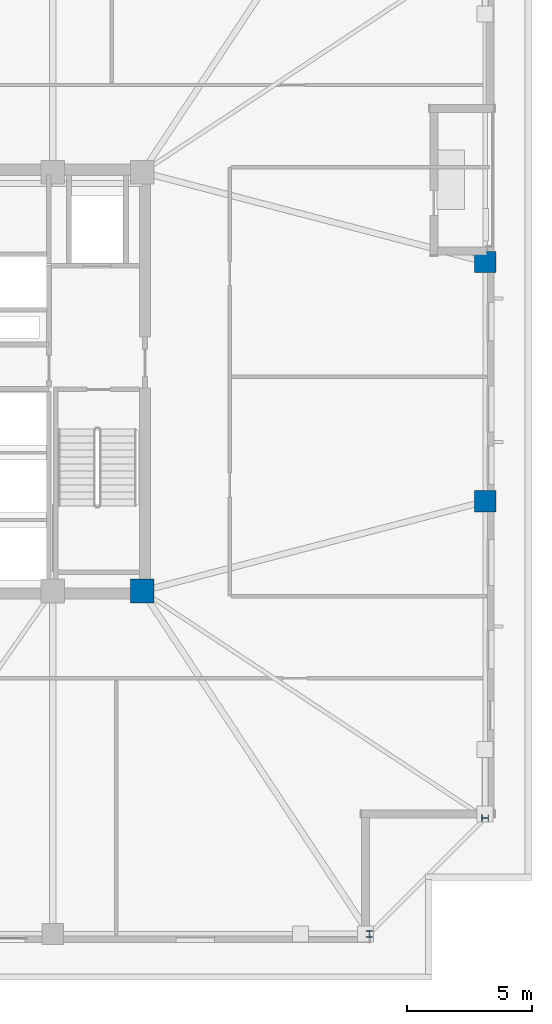
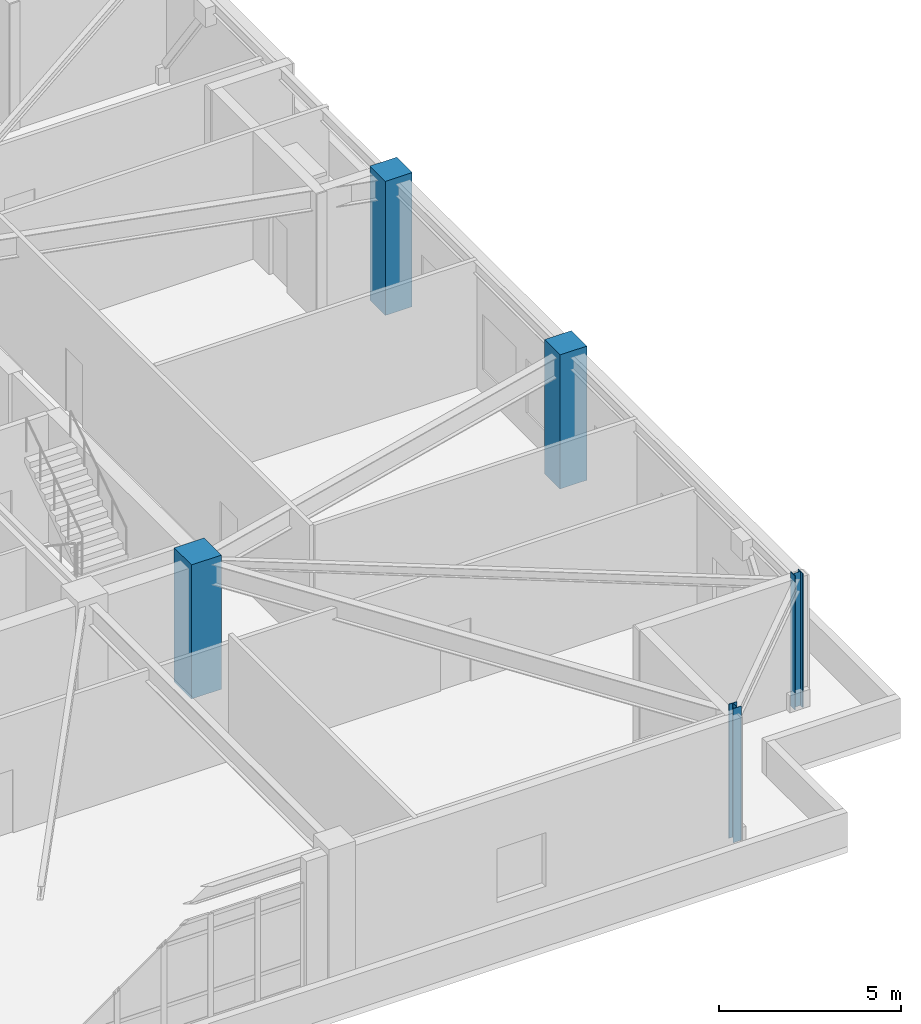
# One storey, part 3 of 18: 5 columns.
"""IFC4 building model written with IfcOpenShell, lengths in metres."""

import ifcopenshell
import ifcopenshell.guid

model = None  # the IFC model being written
_history = None  # IfcOwnerHistory: only IFC2X3 demands one
_inside = {}  # id of a spatial element -> (the spatial element, [elements in it])
_under = {}  # id of a project, library or spatial element -> (it, [spatial elements below it])
_declared = {}  # id of a project -> (the project, [libraries it declares])
_typed = {}  # id of a type object -> (the type object, [elements of that type])
_made_of = {}  # id of a material, layer set ... -> (it, [elements and type objects made of it])


def new_model(schema):
    """Start an empty IFC model of exactly this schema.

    Asked for "IFC4X3", IfcOpenShell would pick the latest addendum, in which some entities
    have other attributes; the version numbers below select the first issue.
    IFC2X3 requires an IfcOwnerHistory on every rooted entity: one is made here for all.
    """
    global model, _history
    if schema == "IFC4X3":
        model = ifcopenshell.file(schema_version=(4, 3, 0, 0))
    else:
        model = ifcopenshell.file(schema=schema)
    _inside.clear()
    _under.clear()
    _declared.clear()
    _typed.clear()
    _made_of.clear()
    _history = None
    if model.schema == "IFC2X3":
        org = make("IfcOrganization", Name="unknown")
        user = make(
            "IfcPersonAndOrganization",
            ThePerson=make("IfcPerson", FamilyName="unknown"),
            TheOrganization=org,
        )
        app = make(
            "IfcApplication",
            ApplicationDeveloper=org,
            Version="unknown",
            ApplicationFullName="unknown",
            ApplicationIdentifier="unknown",
        )
        _history = make(
            "IfcOwnerHistory",
            OwningUser=user,
            OwningApplication=app,
            ChangeAction="ADDED",
            CreationDate=0,
        )
    return model


def make(cls, **values):
    """One entity of the class cls with the attributes given. An attribute that is None is left unset."""
    return model.create_entity(
        cls, **{name: value for name, value in values.items() if value is not None}
    )


def rooted(cls, **values):
    """An entity with a GlobalId (a new one), such as an element, a storey or a relation."""
    return make(cls, GlobalId=ifcopenshell.guid.new(), OwnerHistory=_history, **values)


def si_unit(unit_type, name, prefix=None):
    """IfcSIUnit, for example si_unit("LENGTHUNIT", "METRE", prefix="MILLI")."""
    return make("IfcSIUnit", UnitType=unit_type, Prefix=prefix, Name=name)


def assignment(units):
    """IfcUnitAssignment: the units of a project."""
    return None if units is None else make("IfcUnitAssignment", Units=units)


def point(xyz):
    """IfcCartesianPoint."""
    return None if xyz is None else make("IfcCartesianPoint", Coordinates=xyz)


def direction(xyz):
    """IfcDirection."""
    return None if xyz is None else make("IfcDirection", DirectionRatios=xyz)


def frame(location, z_axis=None, x_axis=None):
    """IfcAxis2Placement3D, a coordinate frame: its origin and axes. An axis left out is left unset."""
    return make(
        "IfcAxis2Placement3D",
        Location=point(location),
        Axis=direction(z_axis),
        RefDirection=direction(x_axis),
    )


def frame_2d(location, x_axis=None):
    """IfcAxis2Placement2D, a coordinate frame in the plane: its origin and x axis."""
    return make(
        "IfcAxis2Placement2D", Location=point(location), RefDirection=direction(x_axis)
    )


def origin():
    """The frame at (0, 0, 0) with its axes left unset."""
    return frame((0.0, 0.0, 0.0))


def origin_2d():
    """The frame at (0, 0) in the plane with its x axis left unset."""
    return frame_2d((0.0, 0.0))


def place(relative_to, where):
    """IfcLocalPlacement: puts the frame where relative to a parent placement (None: the world)."""
    return make(
        "IfcLocalPlacement", PlacementRelTo=relative_to, RelativePlacement=where
    )


def context(
    kind, dimensions, precision=None, world=None, true_north=None, identifier=None
):
    """IfcGeometricRepresentationContext, for example the 3D "Model" context."""
    return make(
        "IfcGeometricRepresentationContext",
        ContextIdentifier=identifier,
        ContextType=kind,
        CoordinateSpaceDimension=dimensions,
        Precision=precision,
        WorldCoordinateSystem=world,
        TrueNorth=true_north,
    )


def subcontext(parent, identifier, kind, view, scale=None):
    """IfcGeometricRepresentationSubContext, for example "Body" below "Model"."""
    return make(
        "IfcGeometricRepresentationSubContext",
        ContextIdentifier=identifier,
        ContextType=kind,
        ParentContext=parent,
        TargetScale=scale,
        TargetView=view,
    )


def project(units=None, contexts=None):
    """IfcProject with its units and contexts."""
    return rooted(
        "IfcProject",
        Name="project",
        RepresentationContexts=contexts,
        UnitsInContext=assignment(units),
    )


def spatial(cls, under=None, at=None, **own):
    """A site, building, storey or space (cls), placed at a placement, below another one or the project."""
    s = rooted(cls, ObjectPlacement=at, **own)
    if under is not None:
        _under.setdefault(under.id(), (under, []))[1].append(s)
    return s


def profile(cls, at=None, kind="AREA", **sizes):
    """A parametric profile (cls). Its sizes go by their IFC names, for example OverallWidth=200.0."""
    return make(cls, ProfileType=kind, Position=at, **sizes)


def rectangle(**sizes):
    """IfcRectangleProfileDef."""
    return profile("IfcRectangleProfileDef", **sizes)


def i_section(**sizes):
    """IfcIShapeProfileDef."""
    return profile("IfcIShapeProfileDef", **sizes)


def extrude(swept, where, along, depth):
    """IfcExtrudedAreaSolid: the profile swept, set in the frame where, extruded along a direction by depth."""
    return make(
        "IfcExtrudedAreaSolid",
        SweptArea=swept,
        Position=where,
        ExtrudedDirection=direction(along),
        Depth=depth,
    )


def shape(context_of_items, identifier, shape_type, items):
    """IfcShapeRepresentation: the items that make up one representation, for example the "Body"."""
    return make(
        "IfcShapeRepresentation",
        ContextOfItems=context_of_items,
        RepresentationIdentifier=identifier,
        RepresentationType=shape_type,
        Items=items,
    )


def material(Name=None, Category=None):
    """IfcMaterial."""
    return make("IfcMaterial", Name=Name, Category=Category)


def material_profile(
    of_material, cross_section, Name=None, Category=None, Priority=None
):
    """IfcMaterialProfile: a cross section and its material."""
    return make(
        "IfcMaterialProfile",
        Name=Name,
        Material=of_material,
        Profile=cross_section,
        Priority=Priority,
        Category=Category,
    )


def profile_set(profiles, Name=None, composite=None):
    """IfcMaterialProfileSet."""
    return make(
        "IfcMaterialProfileSet",
        Name=Name,
        MaterialProfiles=profiles,
        CompositeProfile=composite,
    )


def made_of(thing, what):
    """Note that an element or type object is made of a material, layer set ...; save() writes the relation."""
    if what is not None:
        _made_of.setdefault(what.id(), (what, []))[1].append(thing)
    return thing


def type_object(cls, material=None, **own):
    """A type object (cls), such as IfcWallType, which elements share."""
    return made_of(rooted(cls, **own), material)


def element(
    cls,
    number,
    at=None,
    inside=None,
    cuts=None,
    type_object=None,
    material=None,
    context=None,
    identifier="Body",
    shape_type=None,
    held_by="IfcProductDefinitionShape",
    body=None,
    shapes=None,
    **own,
):
    """One element of the class cls, such as IfcWall. Its Tag is "e" and its number.

    at: its placement. inside: the storey or other place that contains it. cuts: it is an
    opening in that element (IfcRelVoidsElement). A single representation is given by context,
    identifier, shape_type and body (its items); several are given by shapes. held_by: the class
    of the entity that holds the representations. save() writes the other relations.
    """
    e = rooted(cls, Tag="e%d" % number, ObjectPlacement=at, **own)
    if body is not None:
        shapes = [shape(context, identifier, shape_type, body)]
    if shapes is not None:
        e.Representation = make(held_by, Representations=shapes)
    if inside is not None:
        _inside.setdefault(inside.id(), (inside, []))[1].append(e)
    if cuts is not None:
        rooted(
            "IfcRelVoidsElement", RelatingBuildingElement=cuts, RelatedOpeningElement=e
        )
    if type_object is not None:
        _typed.setdefault(type_object.id(), (type_object, []))[1].append(e)
    return made_of(e, material)


def aggregate(whole, parts):
    """IfcRelAggregates: a whole, such as a stair, and the parts it consists of."""
    return rooted("IfcRelAggregates", RelatingObject=whole, RelatedObjects=parts)


def save(model, path):
    """Write the relations noted so far, then the file.

    IfcRelAggregates (storeys below a building ...), IfcRelContainedInSpatialStructure (elements
    in a storey), IfcRelDefinesByType, IfcRelAssociatesMaterial and IfcRelDeclares: one each for
    every whole, place, type object, material and project.
    """
    for whole, parts in _under.values():
        aggregate(whole, parts)
    for where, things in _inside.values():
        rooted(
            "IfcRelContainedInSpatialStructure",
            RelatedElements=things,
            RelatingStructure=where,
        )
    for kind, things in _typed.values():
        rooted("IfcRelDefinesByType", RelatedObjects=things, RelatingType=kind)
    for what, things in _made_of.values():
        rooted("IfcRelAssociatesMaterial", RelatedObjects=things, RelatingMaterial=what)
    for by, libraries in _declared.values():
        rooted("IfcRelDeclares", RelatingContext=by, RelatedDefinitions=libraries)
    model.write(path)


model = new_model("IFC4")

# Units and contexts
model_context = context("Model", 3, precision=1e-05, world=origin(), true_north=direction((0.0, 1.0)))
body_context = subcontext(model_context, "Body", "Model", "MODEL_VIEW")
ifc_project = project(units=[si_unit("LENGTHUNIT", "METRE"), si_unit("AREAUNIT", "SQUARE_METRE"), si_unit("VOLUMEUNIT", "CUBIC_METRE"), si_unit("PLANEANGLEUNIT", "RADIAN"), si_unit("MASSUNIT", "GRAM", prefix="KILO")], contexts=[model_context])

# Site, building, storey
site_placement = place(None, origin())
site = spatial("IfcSite", under=ifc_project, at=site_placement, CompositionType="ELEMENT")
building_placement = place(site_placement, origin())
building = spatial("IfcBuilding", under=site, at=building_placement, Name="Cairnveth Concourse Tower", CompositionType="ELEMENT")
storey_placement = place(building_placement, frame((0.0, 0.0, 198.0)))
storey = spatial("IfcBuildingStorey", under=building, at=storey_placement, Name="L54", CompositionType="ELEMENT", Elevation=198.0)

# Columns
ifc_material_1 = material(Name="Concrete N65 (65 MPa)", Category="concrete")
ifc_material_profile_1 = material_profile(ifc_material_1, rectangle(XDim=0.949951171875, YDim=0.949951171875, at=origin_2d()), Name="RC-COL-950x950")
ifc_profile_set_1 = profile_set([ifc_material_profile_1], Name="Concrete N65 (65 MPa)")
column_type_1 = type_object("IfcColumnType", Name="CORE COLUMN 950X950", PredefinedType="COLUMN", material=ifc_profile_set_1)
column_placement = place(storey_placement, frame((60.39990234375, 30.60009765625, 0.0), z_axis=(0.0, 0.0, 1.0), x_axis=(1.0, 0.0, 0.0)))
element("IfcColumn", 1, at=column_placement, inside=storey, type_object=column_type_1, Name="Column CC4 L54", PredefinedType="COLUMN", context=body_context, shape_type="SweptSolid", body=[
    extrude(rectangle(XDim=0.949951171875, YDim=0.949951171875, at=origin_2d()), origin(), (0.0, 0.0, 1.0), 4.5),
])
ifc_material_profile_2 = material_profile(ifc_material_1, rectangle(XDim=0.85009765625, YDim=0.85009765625, at=origin_2d()), Name="RC-COL-850x850")
ifc_profile_set_2 = profile_set([ifc_material_profile_2], Name="Concrete N65 (65 MPa)")
column_type_2 = type_object("IfcColumnType", Name="PERIMETER PIER COLUMN 850X850", PredefinedType="COLUMN", material=ifc_profile_set_2)
for number, where, z_axis, x_axis, name in (
    (2, (74.14990234375, 34.199951171875, 0.0), (0.0, 0.0, 1.0), (0.0, 1.0, 0.0), "Column P-E2 L54"),
    (3, (74.14990234375, 43.800048828125, 0.0), (0.0, 0.0, 1.0), (0.0, 1.0, 0.0), "Column P-E3 L54"),
):
    element("IfcColumn", number, at=place(storey_placement, frame(where, z_axis=z_axis, x_axis=x_axis)), inside=storey, type_object=column_type_2, Name=name, PredefinedType="COLUMN", context=body_context, shape_type="SweptSolid", body=[
        extrude(rectangle(XDim=0.85009765625, YDim=0.85009765625, at=origin_2d()), origin(), (0.0, 0.0, 1.0), 4.5),
    ])
ifc_material_2 = material(Name="Steel Grade 350", Category="steel")
ifc_material_profile_3 = material_profile(ifc_material_2, i_section(OverallWidth=0.256103515625, OverallDepth=0.260009765625, WebThickness=0.010498046875, FlangeThickness=0.017333984375, FilletRadius=0.012939453125, at=origin_2d()), Name="250UC89.5")
ifc_profile_set_3 = profile_set([ifc_material_profile_3], Name="Steel Grade 350")
column_type_3 = type_object("IfcColumnType", Name="UNIVERSAL STEEL COLUMN 250UC89.5", PredefinedType="COLUMN", material=ifc_profile_set_3)
for number, where, z_axis, x_axis, name in (
    (4, (69.5, 16.85009765625, 0.0), (0.0, 0.0, 1.0), (1.0, 0.0, 0.0), "Column P-S4 L54"),
    (5, (74.14990234375, 21.5, 0.0), (0.0, 0.0, 1.0), (0.0, 1.0, 0.0), "Column P-E1 L54"),
):
    element("IfcColumn", number, at=place(storey_placement, frame(where, z_axis=z_axis, x_axis=x_axis)), inside=storey, type_object=column_type_3, Name=name, PredefinedType="COLUMN", context=body_context, shape_type="SweptSolid", body=[
        extrude(i_section(OverallWidth=0.256103515625, OverallDepth=0.260009765625, WebThickness=0.010498046875, FlangeThickness=0.017333984375, FilletRadius=0.012939453125, at=origin_2d()), origin(), (0.0, 0.0, 1.0), 4.5),
    ])

save(model, "model.ifc")
